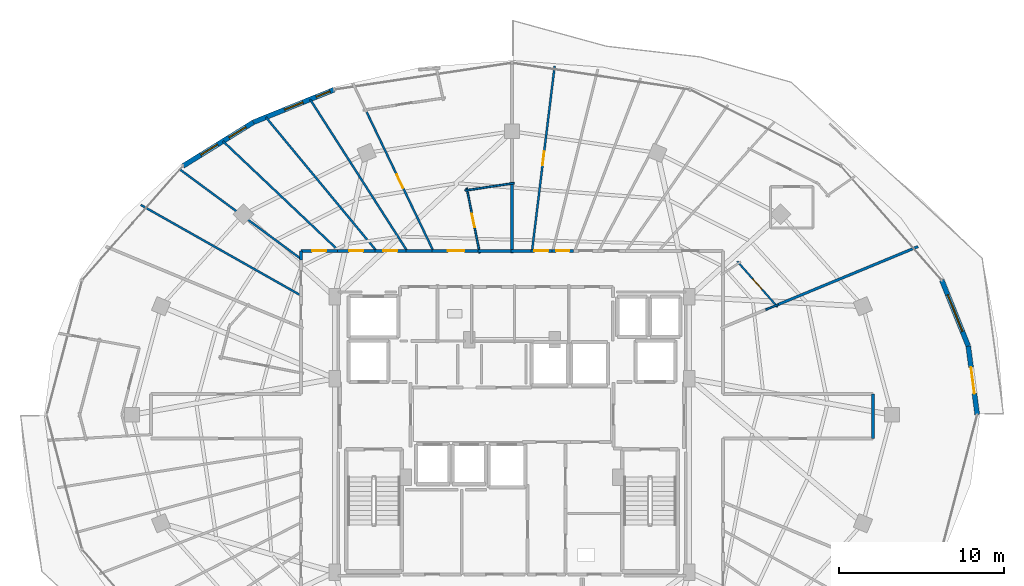
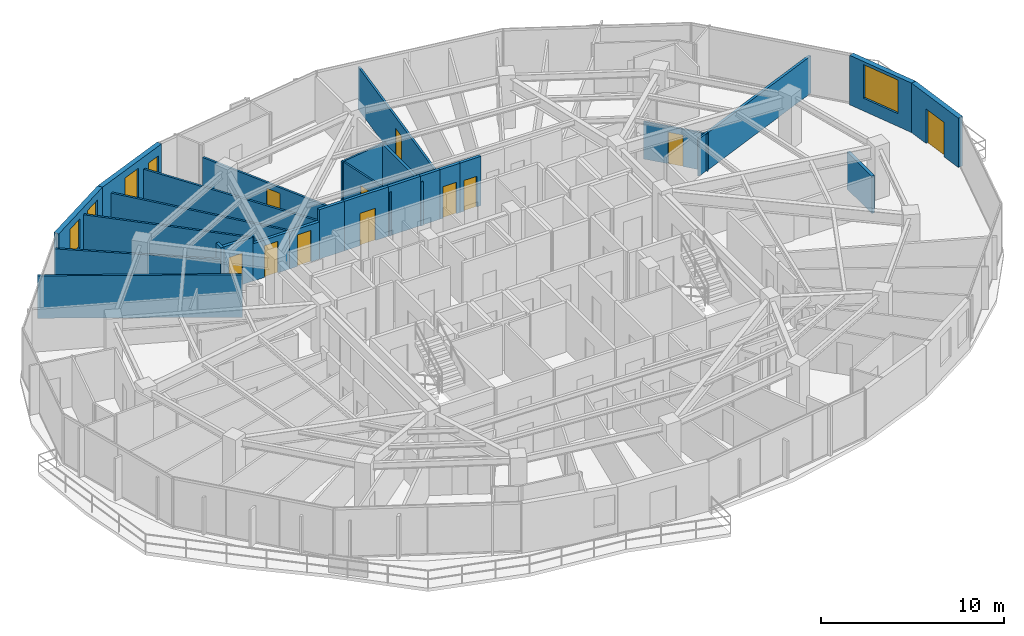
# One storey, part 29 of 33: 28 walls, 11 doors, 5 windows, 16 openings.
"""IFC4 building model written with IfcOpenShell, lengths in metres."""

from ifc_helpers import new_model, si_unit, direction, frame, frame_2d, origin, place, context, subcontext, project, spatial, rectangle, extrude, material, layer, layer_set, type_object, element, fill, save


model = new_model("IFC4")

# Units and contexts
model_context = context("Model", 3, precision=1e-05, world=origin(), true_north=direction((0.0, 1.0)))
body_context = subcontext(model_context, "Body", "Model", "MODEL_VIEW")
ifc_project = project(units=[si_unit("LENGTHUNIT", "METRE"), si_unit("AREAUNIT", "SQUARE_METRE"), si_unit("VOLUMEUNIT", "CUBIC_METRE"), si_unit("PLANEANGLEUNIT", "RADIAN"), si_unit("MASSUNIT", "GRAM", prefix="KILO")], contexts=[model_context])

# Site, building, storey
site_placement = place(None, origin())
site = spatial("IfcSite", under=ifc_project, at=site_placement, CompositionType="ELEMENT")
building_placement = place(site_placement, origin())
building = spatial("IfcBuilding", under=site, at=building_placement, Name="Vorneva Point Tower", CompositionType="ELEMENT")
storey_placement = place(building_placement, frame((0.0, 0.0, 217.85009765625)))
storey = spatial("IfcBuildingStorey", under=building, at=storey_placement, Name="L59", CompositionType="ELEMENT", Elevation=217.85009765625)

# Wall, opening, door
ifc_material_1 = material(Name="Precast concrete B50 (C40/50)", Category="concrete")
ifc_layer_1 = layer(ifc_material_1, 0.300048828125)
ifc_layer_set_1 = layer_set([ifc_layer_1], Name="Precast concrete B50 (C40/50)")
wall_type_1 = type_object("IfcWallType", Name="WL-EXT-300", PredefinedType="STANDARD", material=ifc_layer_set_1)
wall_1_placement = place(storey_placement, frame((66.22998046875, 26.0, 0.0), z_axis=(0.0, 0.0, 1.0), x_axis=(-0.129147853268, 0.991625348605, 0.0)))
wall_1 = element("IfcWall", 1, at=wall_1_placement, inside=storey, type_object=wall_type_1, Name="L59 Pale-Metal Facade Spandrel Wall 01.1", PredefinedType="STANDARD", context=body_context, shape_type="SweptSolid", body=[
    extrude(rectangle(XDim=4.200439453125, YDim=0.300048828125, at=frame_2d((2.10009765625, 0.0))), origin(), (0.0, 0.0, 1.0), 3.289794921875),
])
opening_1_placement = place(wall_1_placement, frame((1.30029296875, 0.0, 0.0)))
opening_1 = element("IfcOpeningElement", 2, at=opening_1_placement, cuts=wall_1, Name="Opening BD-01", PredefinedType="OPENING", context=body_context, shape_type="SweptSolid", body=[
    extrude(rectangle(XDim=1.60009765625, YDim=2.300048828125, at=frame_2d((0.800048828125, 1.14990234375))), frame((0.0, 0.1650390625, 0.0), z_axis=(0.0, -1.0, 0.0), x_axis=(1.0, 0.0, 0.0)), (0.0, 0.0, 1.0), 0.329833984375),
])
ifc_material_2 = material(Name="Pale anodised aluminium", Category="aluminium")
door_type_1 = type_object("IfcDoorType", Name="DR-BAL-1600", OperationType="SLIDING_TO_LEFT", PredefinedType="DOOR", material=ifc_material_2)
door_1_placement = place(opening_1_placement, origin())
door_1 = element("IfcDoor", 3, at=door_1_placement, inside=storey, type_object=door_type_1, Name="L59 Balcony Terrace Access Door 01", OperationType="SLIDING_TO_LEFT", OverallHeight=2.300048828125, OverallWidth=1.60009765625, PredefinedType="DOOR", context=body_context, shape_type="SweptSolid", body=[
    extrude(rectangle(XDim=1.60009765625, YDim=2.300048828125, at=frame_2d((0.800048828125, 1.14990234375))), frame((0.0, 0.02490234375, 0.0), z_axis=(0.0, -1.0, 0.0), x_axis=(1.0, 0.0, 0.0)), (0.0, 0.0, 1.0), 0.050048828125),
])
fill(opening_1, door_1)

# Wall, opening, window
wall_2_placement = place(storey_placement, frame((65.6875, 30.165283203125, 0.0), z_axis=(0.0, 0.0, 1.0), x_axis=(-0.372268409848, 0.928125116043, 0.0)))
wall_2 = element("IfcWall", 4, at=wall_2_placement, inside=storey, type_object=wall_type_1, Name="L59 Pale-Metal Facade Spandrel Wall 01.2", PredefinedType="STANDARD", context=body_context, shape_type="SweptSolid", body=[
    extrude(rectangle(XDim=4.315185546875, YDim=0.300048828125, at=frame_2d((2.15771484375, 0.0))), origin(), (0.0, 0.0, 1.0), 3.289794921875),
])
opening_2_placement = place(wall_2_placement, frame((0.95751953125, 0.0, 0.85009765625)))
opening_2 = element("IfcOpeningElement", 5, at=opening_2_placement, cuts=wall_2, Name="Opening W-03", PredefinedType="OPENING", context=body_context, shape_type="SweptSolid", body=[
    extrude(rectangle(XDim=2.39990234375, YDim=2.239990234375, at=frame_2d((1.199951171875, 1.1201171875))), frame((0.0, 0.1650390625, 0.0), z_axis=(0.0, -1.0, 0.0), x_axis=(1.0, 0.0, 0.0)), (0.0, 0.0, 1.0), 0.329833984375),
])
ifc_material_3 = material(Name="Double low-e laminated glass IGU", Category="glass")
window_type_1 = type_object("IfcWindowType", Name="WN-RES-2400", PartitioningType="SINGLE_PANEL", PredefinedType="WINDOW", material=ifc_material_3)
window_1_placement = place(opening_2_placement, origin())
window_1 = element("IfcWindow", 6, at=window_1_placement, inside=storey, type_object=window_type_1, Name="L59 Facade Window 01", OverallHeight=2.239990234375, OverallWidth=2.39990234375, PartitioningType="SINGLE_PANEL", PredefinedType="WINDOW", context=body_context, shape_type="SweptSolid", body=[
    extrude(rectangle(XDim=2.39990234375, YDim=2.239990234375, at=frame_2d((1.199951171875, 1.1201171875))), frame((0.0, 0.030029296875, 0.0), z_axis=(0.0, -1.0, 0.0), x_axis=(1.0, 0.0, 0.0)), (0.0, 0.0, 1.0), 0.06005859375),
])
fill(opening_2, window_1)

# Wall, openings, windows
wall_3_placement = place(storey_placement, frame((27.19677734375, 45.724853515625, 0.0), z_axis=(0.0, 0.0, 1.0), x_axis=(-0.927111094334, -0.374786630981, 0.0)))
wall_3 = element("IfcWall", 7, at=wall_3_placement, inside=storey, type_object=wall_type_1, Name="L59 Pale-Metal Facade Spandrel Wall 06.1", PredefinedType="STANDARD", context=body_context, shape_type="SweptSolid", body=[
    extrude(rectangle(XDim=5.26416015625, YDim=0.300048828125, at=frame_2d((2.632080078125, 0.0))), origin(), (0.0, 0.0, 1.0), 3.289794921875),
])
opening_3_placement = place(wall_3_placement, frame((0.25830078125, 0.0, 0.85009765625)))
opening_3 = element("IfcOpeningElement", 8, at=opening_3_placement, cuts=wall_3, Name="Opening W-08", PredefinedType="OPENING", context=body_context, shape_type="SweptSolid", body=[
    extrude(rectangle(XDim=0.89990234375, YDim=1.800048828125, at=frame_2d((0.449951171875, 0.89990234375))), frame((0.0, 0.1650390625, 0.0), z_axis=(0.0, -1.0, 0.0), x_axis=(1.0, 0.0, 0.0)), (0.0, 0.0, 1.0), 0.329833984375),
])
opening_4_placement = place(wall_3_placement, frame((2.031982421875, 0.0, 0.85009765625)))
opening_4 = element("IfcOpeningElement", 9, at=opening_4_placement, cuts=wall_3, Name="Opening W-04", PredefinedType="OPENING", context=body_context, shape_type="SweptSolid", body=[
    extrude(rectangle(XDim=1.199951171875, YDim=1.949951171875, at=frame_2d((0.60009765625, 0.97509765625))), frame((0.0, 0.1650390625, 0.0), z_axis=(0.0, -1.0, 0.0), x_axis=(1.0, 0.0, 0.0)), (0.0, 0.0, 1.0), 0.329833984375),
])
window_type_2 = type_object("IfcWindowType", Name="WN-CAS-900", PartitioningType="SINGLE_PANEL", PredefinedType="WINDOW", material=ifc_material_3)
window_2_placement = place(opening_3_placement, origin())
window_2 = element("IfcWindow", 10, at=window_2_placement, inside=storey, type_object=window_type_2, Name="L59 Dwelling Vision Window 01", OverallHeight=1.800048828125, OverallWidth=0.89990234375, PartitioningType="SINGLE_PANEL", PredefinedType="WINDOW", context=body_context, shape_type="SweptSolid", body=[
    extrude(rectangle(XDim=0.89990234375, YDim=1.800048828125, at=frame_2d((0.449951171875, 0.89990234375))), frame((0.0, 0.030029296875, 0.0), z_axis=(0.0, -1.0, 0.0), x_axis=(1.0, 0.0, 0.0)), (0.0, 0.0, 1.0), 0.06005859375),
])
fill(opening_3, window_2)
window_type_3 = type_object("IfcWindowType", Name="WN-RES-1200", PartitioningType="SINGLE_PANEL", PredefinedType="WINDOW", material=ifc_material_3)
window_3_placement = place(opening_4_placement, origin())
window_3 = element("IfcWindow", 11, at=window_3_placement, inside=storey, type_object=window_type_3, Name="L59 Dwelling Vision Window 02", OverallHeight=1.949951171875, OverallWidth=1.199951171875, PartitioningType="SINGLE_PANEL", PredefinedType="WINDOW", context=body_context, shape_type="SweptSolid", body=[
    extrude(rectangle(XDim=1.199951171875, YDim=1.949951171875, at=frame_2d((0.60009765625, 0.97509765625))), frame((0.0, 0.030029296875, 0.0), z_axis=(0.0, -1.0, 0.0), x_axis=(1.0, 0.0, 0.0)), (0.0, 0.0, 1.0), 0.06005859375),
])
fill(opening_4, window_3)

wall_4_placement = place(storey_placement, frame((22.31640625, 43.751953125, 0.0), z_axis=(0.0, 0.0, 1.0), x_axis=(-0.849647657754, -0.527350791858, 0.0)))
wall_4 = element("IfcWall", 12, at=wall_4_placement, inside=storey, type_object=wall_type_1, Name="L59 Pale-Metal Facade Spandrel Wall 06.2", PredefinedType="STANDARD", context=body_context, shape_type="SweptSolid", body=[
    extrude(rectangle(XDim=5.03515625, YDim=0.300048828125, at=frame_2d((2.517578125, 0.0))), origin(), (0.0, 0.0, 1.0), 3.289794921875),
])
opening_5_placement = place(wall_4_placement, frame((0.5546875, 0.0, 0.85009765625)))
opening_5 = element("IfcOpeningElement", 13, at=opening_5_placement, cuts=wall_4, Name="Opening W-04", PredefinedType="OPENING", context=body_context, shape_type="SweptSolid", body=[
    extrude(rectangle(XDim=1.199951171875, YDim=1.949951171875, at=frame_2d((0.60009765625, 0.97509765625))), frame((0.0, 0.1650390625, 0.0), z_axis=(0.0, -1.0, 0.0), x_axis=(1.0, 0.0, 0.0)), (0.0, 0.0, 1.0), 0.329833984375),
])
opening_6_placement = place(wall_4_placement, frame((2.569091796875, 0.0, 0.85009765625)))
opening_6 = element("IfcOpeningElement", 14, at=opening_6_placement, cuts=wall_4, Name="Opening W-04", PredefinedType="OPENING", context=body_context, shape_type="SweptSolid", body=[
    extrude(rectangle(XDim=1.199951171875, YDim=1.949951171875, at=frame_2d((0.60009765625, 0.97509765625))), frame((0.0, 0.1650390625, 0.0), z_axis=(0.0, -1.0, 0.0), x_axis=(1.0, 0.0, 0.0)), (0.0, 0.0, 1.0), 0.329833984375),
])
window_4_placement = place(opening_5_placement, origin())
window_4 = element("IfcWindow", 15, at=window_4_placement, inside=storey, type_object=window_type_3, Name="L59 Dwelling Vision Window 03", OverallHeight=1.949951171875, OverallWidth=1.199951171875, PartitioningType="SINGLE_PANEL", PredefinedType="WINDOW", context=body_context, shape_type="SweptSolid", body=[
    extrude(rectangle(XDim=1.199951171875, YDim=1.949951171875, at=frame_2d((0.60009765625, 0.97509765625))), frame((0.0, 0.030029296875, 0.0), z_axis=(0.0, -1.0, 0.0), x_axis=(1.0, 0.0, 0.0)), (0.0, 0.0, 1.0), 0.06005859375),
])
fill(opening_5, window_4)
window_5_placement = place(opening_6_placement, origin())
window_5 = element("IfcWindow", 16, at=window_5_placement, inside=storey, type_object=window_type_3, Name="L59 Dwelling Vision Window 04", OverallHeight=1.949951171875, OverallWidth=1.199951171875, PartitioningType="SINGLE_PANEL", PredefinedType="WINDOW", context=body_context, shape_type="SweptSolid", body=[
    extrude(rectangle(XDim=1.199951171875, YDim=1.949951171875, at=frame_2d((0.60009765625, 0.97509765625))), frame((0.0, 0.030029296875, 0.0), z_axis=(0.0, -1.0, 0.0), x_axis=(1.0, 0.0, 0.0)), (0.0, 0.0, 1.0), 0.06005859375),
])
fill(opening_6, window_5)

# Wall, opening, door
ifc_material_4 = material(Name="Fire-rated acoustic gypsum stud partition", Category="gypsum")
ifc_layer_2 = layer(ifc_material_4, 0.110107421875)
ifc_layer_set_2 = layer_set([ifc_layer_2], Name="Fire-rated acoustic gypsum stud partition")
wall_type_2 = type_object("IfcWallType", Name="WL-PART-110", PredefinedType="PARTITIONING", material=ifc_layer_set_2)
wall_5_placement = place(storey_placement, frame((51.666259765625, 35.310791015625, 0.0), z_axis=(0.0, 0.0, 1.0), x_axis=(0.662288118602, -0.749249256228, 0.0)))
wall_5 = element("IfcWall", 17, at=wall_5_placement, inside=storey, type_object=wall_type_2, Name="L59 Interior Partition 085", PredefinedType="PARTITIONING", context=body_context, shape_type="SweptSolid", body=[
    extrude(rectangle(XDim=3.705810546875, YDim=0.110107421875, at=frame_2d((1.85302734375, 0.0))), origin(), (0.0, 0.0, 1.0), 2.48193359375),
])
opening_7_placement = place(wall_5_placement, frame((1.427978515625, 0.0, 0.0)))
opening_7 = element("IfcOpeningElement", 18, at=opening_7_placement, cuts=wall_5, Name="Opening ID-02", PredefinedType="OPENING", context=body_context, shape_type="SweptSolid", body=[
    extrude(rectangle(XDim=0.85009765625, YDim=2.10009765625, at=frame_2d((0.425048828125, 1.050048828125))), frame((0.0, 0.06982421875, 0.0), z_axis=(0.0, -1.0, 0.0), x_axis=(1.0, 0.0, 0.0)), (0.0, 0.0, 1.0), 0.139892578125),
])
ifc_material_5 = material(Name="Engineered oak fire-rated door leaf", Category="wood")
door_type_2 = type_object("IfcDoorType", Name="DR-BATH-850", OperationType="NOTDEFINED", PredefinedType="DOOR", material=ifc_material_5)
door_2_placement = place(opening_7_placement, origin())
door_2 = element("IfcDoor", 19, at=door_2_placement, inside=storey, type_object=door_type_2, Name="L59 Door Living and Dining Room L59-01 / Bathroom L59-01", OperationType="SINGLE_SWING_LEFT", OverallHeight=2.10009765625, OverallWidth=0.85009765625, PredefinedType="DOOR", context=body_context, shape_type="SweptSolid", body=[
    extrude(rectangle(XDim=0.85009765625, YDim=2.10009765625, at=frame_2d((0.425048828125, 1.050048828125))), frame((0.0, 0.02490234375, 0.0), z_axis=(0.0, -1.0, 0.0), x_axis=(1.0, 0.0, 0.0)), (0.0, 0.0, 1.0), 0.050048828125),
])
fill(opening_7, door_2)

# Wall
wall_6_placement = place(storey_placement, frame((54.1572265625, 32.692626953125, 0.0), z_axis=(0.0, 0.0, 1.0), x_axis=(-0.923731903457, -0.383039646166, 0.0)))
element("IfcWall", 20, at=wall_6_placement, inside=storey, type_object=wall_type_2, Name="L59 Interior Partition 086", PredefinedType="PARTITIONING", context=body_context, shape_type="SweptSolid", body=[
    extrude(rectangle(XDim=0.825439453125, YDim=0.110107421875, at=frame_2d((0.41259765625, 0.0))), origin(), (0.0, 0.0, 1.0), 2.48193359375),
])

# Wall, opening, door
wall_7_placement = place(storey_placement, frame((36.04150390625, 35.812744140625, 0.0), z_axis=(0.0, 0.0, 1.0), x_axis=(-0.195521857349, 0.980699343988, 0.0)))
wall_7 = element("IfcWall", 21, at=wall_7_placement, inside=storey, type_object=wall_type_2, Name="L59 Interior Partition 105", PredefinedType="PARTITIONING", context=body_context, shape_type="SweptSolid", body=[
    extrude(rectangle(XDim=4.029541015625, YDim=0.110107421875, at=frame_2d((2.0146484375, 0.0))), origin(), (0.0, 0.0, 1.0), 2.923828125),
])
opening_8_placement = place(wall_7_placement, frame((1.589599609375, 0.0, 0.0)))
opening_8 = element("IfcOpeningElement", 22, at=opening_8_placement, cuts=wall_7, Name="Opening ID-02", PredefinedType="OPENING", context=body_context, shape_type="SweptSolid", body=[
    extrude(rectangle(XDim=0.85009765625, YDim=2.10009765625, at=frame_2d((0.425048828125, 1.050048828125))), frame((0.0, 0.06982421875, 0.0), z_axis=(0.0, -1.0, 0.0), x_axis=(1.0, 0.0, 0.0)), (0.0, 0.0, 1.0), 0.139892578125),
])
door_3_placement = place(opening_8_placement, origin())
door_3 = element("IfcDoor", 23, at=door_3_placement, inside=storey, type_object=door_type_2, Name="L59 Door Living and Dining Room L59-02 / Bathroom L59-02", OperationType="SINGLE_SWING_LEFT", OverallHeight=2.10009765625, OverallWidth=0.85009765625, PredefinedType="DOOR", context=body_context, shape_type="SweptSolid", body=[
    extrude(rectangle(XDim=0.85009765625, YDim=2.10009765625, at=frame_2d((0.425048828125, 1.050048828125))), frame((0.0, 0.02490234375, 0.0), z_axis=(0.0, -1.0, 0.0), x_axis=(1.0, 0.0, 0.0)), (0.0, 0.0, 1.0), 0.050048828125),
])
fill(opening_8, door_3)

# Wall
wall_8_placement = place(storey_placement, frame((35.142578125, 39.606201171875, 0.0), z_axis=(0.0, 0.0, 1.0), x_axis=(0.988873015636, 0.148762088409, 0.0)))
element("IfcWall", 24, at=wall_8_placement, inside=storey, type_object=wall_type_2, Name="L59 Interior Partition 106", PredefinedType="PARTITIONING", context=body_context, shape_type="SweptSolid", body=[
    extrude(rectangle(XDim=3.029541015625, YDim=0.110107421875, at=frame_2d((1.5146484375, 0.0))), origin(), (0.0, 0.0, 1.0), 2.97900390625),
])

# Wall, opening, door
ifc_layer_3 = layer(ifc_material_4, 0.125)
ifc_layer_set_3 = layer_set([ifc_layer_3], Name="Fire-rated acoustic gypsum stud partition")
wall_type_3 = type_object("IfcWallType", Name="WL-PART-125", PredefinedType="PARTITIONING", material=ifc_layer_set_3)
wall_9_placement = place(storey_placement, frame((40.587890625, 47.156982421875, 0.0), z_axis=(0.0, 0.0, 1.0), x_axis=(-0.121415539359, -0.992601766471, 0.0)))
wall_9 = element("IfcWall", 25, at=wall_9_placement, inside=storey, type_object=wall_type_3, Name="L59 Interior Partition 102", PredefinedType="PARTITIONING", context=body_context, shape_type="SweptSolid", body=[
    extrude(rectangle(XDim=11.29052734375, YDim=0.125, at=frame_2d((5.645263671875, 0.0))), origin(), (0.0, 0.0, 1.0), 2.823974609375),
])
opening_9_placement = place(wall_9_placement, frame((5.22021484375, 0.0, 0.0)))
opening_9 = element("IfcOpeningElement", 26, at=opening_9_placement, cuts=wall_9, Name="Opening ID-02", PredefinedType="OPENING", context=body_context, shape_type="SweptSolid", body=[
    extrude(rectangle(XDim=0.85009765625, YDim=2.10009765625, at=frame_2d((0.425048828125, 1.050048828125))), frame((0.0, 0.077392578125, 0.0), z_axis=(0.0, -1.0, 0.0), x_axis=(1.0, 0.0, 0.0)), (0.0, 0.0, 1.0), 0.15478515625),
])
door_4_placement = place(opening_9_placement, origin())
door_4 = element("IfcDoor", 27, at=door_4_placement, inside=storey, type_object=door_type_2, Name="L59 Access Door Bedroom L59-01.5", OperationType="SINGLE_SWING_LEFT", OverallHeight=2.10009765625, OverallWidth=0.85009765625, PredefinedType="DOOR", context=body_context, shape_type="SweptSolid", body=[
    extrude(rectangle(XDim=0.85009765625, YDim=2.10009765625, at=frame_2d((0.425048828125, 1.050048828125))), frame((0.0, 0.02490234375, 0.0), z_axis=(0.0, -1.0, 0.0), x_axis=(1.0, 0.0, 0.0)), (0.0, 0.0, 1.0), 0.050048828125),
])
fill(opening_9, door_4)

wall_10_placement = place(storey_placement, frame((29.173583984375, 44.380859375, 0.0), z_axis=(0.0, 0.0, 1.0), x_axis=(0.432861754343, -0.901460316169, 0.0)))
wall_10 = element("IfcWall", 28, at=wall_10_placement, inside=storey, type_object=wall_type_3, Name="L59 Interior Partition 111", PredefinedType="PARTITIONING", context=body_context, shape_type="SweptSolid", body=[
    extrude(rectangle(XDim=9.3525390625, YDim=0.125, at=frame_2d((4.67626953125, 0.0))), origin(), (0.0, 0.0, 1.0), 2.48193359375),
])
opening_10_placement = place(wall_10_placement, frame((4.226318359375, 0.0, 0.0)))
opening_10 = element("IfcOpeningElement", 29, at=opening_10_placement, cuts=wall_10, Name="Opening ID-01", PredefinedType="OPENING", context=body_context, shape_type="SweptSolid", body=[
    extrude(rectangle(XDim=0.89990234375, YDim=2.10009765625, at=frame_2d((0.449951171875, 1.050048828125))), frame((0.0, 0.077392578125, 0.0), z_axis=(0.0, -1.0, 0.0), x_axis=(1.0, 0.0, 0.0)), (0.0, 0.0, 1.0), 0.15478515625),
])
door_type_3 = type_object("IfcDoorType", Name="DR-ROOM-900", OperationType="NOTDEFINED", PredefinedType="DOOR", material=ifc_material_5)
door_5_placement = place(opening_10_placement, origin())
door_5 = element("IfcDoor", 30, at=door_5_placement, inside=storey, type_object=door_type_3, Name="L59 Door Living and Dining Room L59-02 / Master Bedroom L59-02.1", OperationType="SINGLE_SWING_LEFT", OverallHeight=2.10009765625, OverallWidth=0.89990234375, PredefinedType="DOOR", context=body_context, shape_type="SweptSolid", body=[
    extrude(rectangle(XDim=0.89990234375, YDim=2.10009765625, at=frame_2d((0.449951171875, 1.050048828125))), frame((0.0, 0.02490234375, 0.0), z_axis=(0.0, -1.0, 0.0), x_axis=(1.0, 0.0, 0.0)), (0.0, 0.0, 1.0), 0.050048828125),
])
fill(opening_10, door_5)

# Walls
wall_11_placement = place(storey_placement, frame((25.7490234375, 45.137939453125, 0.0), z_axis=(0.0, 0.0, 1.0), x_axis=(0.539168632786, -0.842197830335, 0.0)))
element("IfcWall", 31, at=wall_11_placement, inside=storey, type_object=wall_type_3, Name="L59 Interior Partition 112", PredefinedType="PARTITIONING", context=body_context, shape_type="SweptSolid", body=[
    extrude(rectangle(XDim=10.909423828125, YDim=0.125, at=frame_2d((5.45458984375, 0.0))), origin(), (0.0, 0.0, 1.0), 2.48193359375),
])
wall_12_placement = place(storey_placement, frame((23.06591796875, 44.052001953125, 0.0), z_axis=(0.0, 0.0, 1.0), x_axis=(0.637453668746, -0.770488689211, 0.0)))
element("IfcWall", 32, at=wall_12_placement, inside=storey, type_object=wall_type_3, Name="L59 Interior Partition 113", PredefinedType="PARTITIONING", context=body_context, shape_type="SweptSolid", body=[
    extrude(rectangle(XDim=10.515380859375, YDim=0.125, at=frame_2d((5.2578125, 0.0))), origin(), (0.0, 0.0, 1.0), 2.48193359375),
])
wall_13_placement = place(storey_placement, frame((20.4619140625, 42.59912109375, 0.0), z_axis=(0.0, 0.0, 1.0), x_axis=(0.726274273347, -0.687405033349, 0.0)))
element("IfcWall", 33, at=wall_13_placement, inside=storey, type_object=wall_type_3, Name="L59 Interior Partition 114", PredefinedType="PARTITIONING", context=body_context, shape_type="SweptSolid", body=[
    extrude(rectangle(XDim=9.6728515625, YDim=0.125, at=frame_2d((4.83642578125, 0.0))), origin(), (0.0, 0.0, 1.0), 2.823974609375),
])
wall_14_placement = place(storey_placement, frame((17.825927734375, 40.90087890625, 0.0), z_axis=(0.0, 0.0, 1.0), x_axis=(0.804363169868, -0.594137939338, 0.0)))
element("IfcWall", 34, at=wall_14_placement, inside=storey, type_object=wall_type_3, Name="L59 Interior Partition 115", PredefinedType="PARTITIONING", context=body_context, shape_type="SweptSolid", body=[
    extrude(rectangle(XDim=9.16748046875, YDim=0.125, at=frame_2d((4.583740234375, 0.0))), origin(), (0.0, 0.0, 1.0), 2.48193359375),
])
wall_15_placement = place(storey_placement, frame((15.47607421875, 38.73095703125, 0.0), z_axis=(0.0, 0.0, 1.0), x_axis=(0.870572608778, -0.49203997078, 0.0)))
element("IfcWall", 35, at=wall_15_placement, inside=storey, type_object=wall_type_3, Name="L59 Interior Partition 116", PredefinedType="PARTITIONING", context=body_context, shape_type="SweptSolid", body=[
    extrude(rectangle(XDim=11.16943359375, YDim=0.125, at=frame_2d((5.584716796875, 0.0))), origin(), (0.0, 0.0, 1.0), 2.823974609375),
])
ifc_layer_4 = layer(ifc_material_4, 0.159912109375)
ifc_layer_set_4 = layer_set([ifc_layer_4], Name="Fire-rated acoustic gypsum stud partition")
wall_type_4 = type_object("IfcWallType", Name="WL-PART-160", PredefinedType="PARTITIONING", material=ifc_layer_set_4)
wall_16_placement = place(storey_placement, frame((54.157470703125, 32.6923828125, 0.0), z_axis=(0.0, 0.0, 1.0), x_axis=(0.923874230192, 0.382696233045, 0.0)))
element("IfcWall", 36, at=wall_16_placement, inside=storey, type_object=wall_type_4, Name="L59 Interior Partition 096", PredefinedType="PARTITIONING", context=body_context, shape_type="SweptSolid", body=[
    extrude(rectangle(XDim=9.181396484375, YDim=0.159912109375, at=frame_2d((4.5908203125, 0.0))), origin(), (0.0, 0.0, 1.0), 2.48193359375),
])
wall_17_placement = place(storey_placement, frame((38.0, 40.114990234375, 0.0), z_axis=(0.0, 0.0, 1.0), x_axis=(0.0, -1.0, 0.0)))
element("IfcWall", 37, at=wall_17_placement, inside=storey, type_object=wall_type_4, Name="L59 Interior Partition 104", PredefinedType="PARTITIONING", context=body_context, shape_type="SweptSolid", body=[
    extrude(rectangle(XDim=4.304931640625, YDim=0.159912109375, at=frame_2d((2.15234375, 0.0))), origin(), (0.0, 0.0, 1.0), 2.923828125),
])

# Wall, opening, door
ifc_material_6 = material(Name="Autoclaved aerated concrete blockwork", Category="masonry")
ifc_layer_5 = layer(ifc_material_6, 0.179931640625)
ifc_layer_set_5 = layer_set([ifc_layer_5], Name="Autoclaved aerated concrete blockwork")
wall_type_5 = type_object("IfcWallType", Name="WL-PART-180", PredefinedType="PARTITIONING", material=ifc_layer_set_5)
wall_18_placement = place(storey_placement, frame((41.7451171875, 35.949951171875, 0.0), z_axis=(0.0, 0.0, 1.0), x_axis=(-1.0, 0.0, 0.0)))
wall_18 = element("IfcWall", 38, at=wall_18_placement, inside=storey, type_object=wall_type_5, Name="L59 Interior Partition 040", PredefinedType="PARTITIONING", context=body_context, shape_type="SweptSolid", body=[
    extrude(rectangle(XDim=1.3330078125, YDim=0.179931640625, at=frame_2d((0.66650390625, 0.0))), origin(), (0.0, 0.0, 1.0), 3.289794921875),
])
opening_11_placement = place(wall_18_placement, frame((0.2666015625, 0.0, 0.0)))
opening_11 = element("IfcOpeningElement", 39, at=opening_11_placement, cuts=wall_18, Name="Opening RD-01", PredefinedType="OPENING", context=body_context, shape_type="SweptSolid", body=[
    extrude(rectangle(XDim=0.800048828125, YDim=2.050048828125, at=frame_2d((0.39990234375, 1.02490234375))), frame((0.0, 0.10498046875, 0.0), z_axis=(0.0, -1.0, 0.0), x_axis=(1.0, 0.0, 0.0)), (0.0, 0.0, 1.0), 0.209716796875),
])
ifc_material_7 = material(Name="Fire-rated powder-coated steel", Category="steel")
door_type_4 = type_object("IfcDoorType", Name="DR-RSR-800", OperationType="SINGLE_SWING_LEFT", PredefinedType="DOOR", material=ifc_material_7)
door_6_placement = place(opening_11_placement, origin())
door_6 = element("IfcDoor", 40, at=door_6_placement, inside=storey, type_object=door_type_4, Name="L59 Access Door L59 Circulation Corridor", OperationType="SINGLE_SWING_RIGHT", OverallHeight=2.050048828125, OverallWidth=0.800048828125, PredefinedType="DOOR", context=body_context, shape_type="SweptSolid", body=[
    extrude(rectangle(XDim=0.800048828125, YDim=2.050048828125, at=frame_2d((0.39990234375, 1.02490234375))), frame((0.0, 0.02490234375, 0.0), z_axis=(0.0, -1.0, 0.0), x_axis=(1.0, 0.0, 0.0)), (0.0, 0.0, 1.0), 0.050048828125),
])
fill(opening_11, door_6)

wall_19_placement = place(storey_placement, frame((40.412109375, 35.949951171875, 0.0), z_axis=(0.0, 0.0, 1.0), x_axis=(-1.0, 0.0, 0.0)))
wall_19 = element("IfcWall", 41, at=wall_19_placement, inside=storey, type_object=wall_type_5, Name="L59 Interior Partition 041", PredefinedType="PARTITIONING", context=body_context, shape_type="SweptSolid", body=[
    extrude(rectangle(XDim=1.255126953125, YDim=0.179931640625, at=frame_2d((0.62744140625, 0.0))), origin(), (0.0, 0.0, 1.0), 3.289794921875),
])
opening_12_placement = place(wall_19_placement, frame((0.202392578125, 0.0, 0.0)))
opening_12 = element("IfcOpeningElement", 42, at=opening_12_placement, cuts=wall_19, Name="Opening ID-02", PredefinedType="OPENING", context=body_context, shape_type="SweptSolid", body=[
    extrude(rectangle(XDim=0.85009765625, YDim=2.10009765625, at=frame_2d((0.425048828125, 1.050048828125))), frame((0.0, 0.10498046875, 0.0), z_axis=(0.0, -1.0, 0.0), x_axis=(1.0, 0.0, 0.0)), (0.0, 0.0, 1.0), 0.209716796875),
])
door_7_placement = place(opening_12_placement, origin())
door_7 = element("IfcDoor", 43, at=door_7_placement, inside=storey, type_object=door_type_2, Name="L59 Access Door L59 Circulation Corridor", OperationType="SINGLE_SWING_LEFT", OverallHeight=2.10009765625, OverallWidth=0.85009765625, PredefinedType="DOOR", context=body_context, shape_type="SweptSolid", body=[
    extrude(rectangle(XDim=0.85009765625, YDim=2.10009765625, at=frame_2d((0.425048828125, 1.050048828125))), frame((0.0, 0.02490234375, 0.0), z_axis=(0.0, -1.0, 0.0), x_axis=(1.0, 0.0, 0.0)), (0.0, 0.0, 1.0), 0.050048828125),
])
fill(opening_12, door_7)

# Wall
wall_20_placement = place(storey_placement, frame((39.156982421875, 35.949951171875, 0.0), z_axis=(0.0, 0.0, 1.0), x_axis=(-1.0, 0.0, 0.0)))
element("IfcWall", 44, at=wall_20_placement, inside=storey, type_object=wall_type_5, Name="L59 Interior Partition 042", PredefinedType="PARTITIONING", context=body_context, shape_type="SweptSolid", body=[
    extrude(rectangle(XDim=1.217041015625, YDim=0.179931640625, at=frame_2d((0.6083984375, 0.0))), origin(), (0.0, 0.0, 1.0), 3.289794921875),
])

# Wall, opening, door
wall_21_placement = place(storey_placement, frame((36.073974609375, 35.949951171875, 0.0), z_axis=(0.0, 0.0, 1.0), x_axis=(-1.0, 0.0, 0.0)))
wall_21 = element("IfcWall", 45, at=wall_21_placement, inside=storey, type_object=wall_type_5, Name="L59 Interior Partition 043", PredefinedType="PARTITIONING", context=body_context, shape_type="SweptSolid", body=[
    extrude(rectangle(XDim=2.9189453125, YDim=0.179931640625, at=frame_2d((1.45947265625, 0.0))), origin(), (0.0, 0.0, 1.0), 3.289794921875),
])
opening_13_placement = place(wall_21_placement, frame((0.95947265625, 0.0, 0.0)))
opening_13 = element("IfcOpeningElement", 46, at=opening_13_placement, cuts=wall_21, Name="Opening UD-01", PredefinedType="OPENING", context=body_context, shape_type="SweptSolid", body=[
    extrude(rectangle(XDim=1.0, YDim=2.14990234375, at=frame_2d((0.5, 1.074951171875))), frame((0.0, 0.10498046875, 0.0), z_axis=(0.0, -1.0, 0.0), x_axis=(1.0, 0.0, 0.0)), (0.0, 0.0, 1.0), 0.209716796875),
])
door_type_5 = type_object("IfcDoorType", Name="DR-UNIT-1000", OperationType="NOTDEFINED", PredefinedType="DOOR", material=ifc_material_5)
door_8_placement = place(opening_13_placement, origin())
door_8 = element("IfcDoor", 47, at=door_8_placement, inside=storey, type_object=door_type_5, Name="L59 Door L59 Circulation Corridor / Living and Dining Room L59-02", OperationType="SINGLE_SWING_RIGHT", OverallHeight=2.14990234375, OverallWidth=1.0, PredefinedType="DOOR", context=body_context, shape_type="SweptSolid", body=[
    extrude(rectangle(XDim=1.0, YDim=2.14990234375, at=frame_2d((0.5, 1.074951171875))), frame((0.0, 0.02490234375, 0.0), z_axis=(0.0, -1.0, 0.0), x_axis=(1.0, 0.0, 0.0)), (0.0, 0.0, 1.0), 0.050048828125),
])
fill(opening_13, door_8)

# Walls
wall_22_placement = place(storey_placement, frame((38.080078125, 35.949951171875, 0.0), z_axis=(0.0, 0.0, 1.0), x_axis=(-1.0, 0.0, 0.0)))
element("IfcWall", 48, at=wall_22_placement, inside=storey, type_object=wall_type_5, Name="L59 Interior Partition 044", PredefinedType="PARTITIONING", context=body_context, shape_type="SweptSolid", body=[
    extrude(rectangle(XDim=2.14599609375, YDim=0.179931640625, at=frame_2d((1.072998046875, 0.0))), origin(), (0.0, 0.0, 1.0), 3.289794921875),
])
wall_23_placement = place(storey_placement, frame((33.155029296875, 35.949951171875, 0.0), z_axis=(0.0, 0.0, 1.0), x_axis=(-1.0, 0.0, 0.0)))
element("IfcWall", 49, at=wall_23_placement, inside=storey, type_object=wall_type_5, Name="L59 Interior Partition 045", PredefinedType="PARTITIONING", context=body_context, shape_type="SweptSolid", body=[
    extrude(rectangle(XDim=1.594970703125, YDim=0.179931640625, at=frame_2d((0.79736328125, 0.0))), origin(), (0.0, 0.0, 1.0), 3.289794921875),
])

# Wall, opening, door
wall_24_placement = place(storey_placement, frame((31.56005859375, 35.949951171875, 0.0), z_axis=(0.0, 0.0, 1.0), x_axis=(-1.0, 0.0, 0.0)))
wall_24 = element("IfcWall", 50, at=wall_24_placement, inside=storey, type_object=wall_type_5, Name="L59 Interior Partition 046", PredefinedType="PARTITIONING", context=body_context, shape_type="SweptSolid", body=[
    extrude(rectangle(XDim=1.869140625, YDim=0.179931640625, at=frame_2d((0.9345703125, 0.0))), origin(), (0.0, 0.0, 1.0), 2.48193359375),
])
opening_14_placement = place(wall_24_placement, frame((0.509521484375, 0.0, 0.0)))
opening_14 = element("IfcOpeningElement", 51, at=opening_14_placement, cuts=wall_24, Name="Opening ID-02", PredefinedType="OPENING", context=body_context, shape_type="SweptSolid", body=[
    extrude(rectangle(XDim=0.85009765625, YDim=2.10009765625, at=frame_2d((0.425048828125, 1.050048828125))), frame((0.0, 0.10498046875, 0.0), z_axis=(0.0, -1.0, 0.0), x_axis=(1.0, 0.0, 0.0)), (0.0, 0.0, 1.0), 0.209716796875),
])
door_9_placement = place(opening_14_placement, origin())
door_9 = element("IfcDoor", 52, at=door_9_placement, inside=storey, type_object=door_type_2, Name="L59 Access Door L59 Circulation Corridor", OperationType="SINGLE_SWING_RIGHT", OverallHeight=2.10009765625, OverallWidth=0.85009765625, PredefinedType="DOOR", context=body_context, shape_type="SweptSolid", body=[
    extrude(rectangle(XDim=0.85009765625, YDim=2.10009765625, at=frame_2d((0.425048828125, 1.050048828125))), frame((0.0, 0.02490234375, 0.0), z_axis=(0.0, -1.0, 0.0), x_axis=(1.0, 0.0, 0.0)), (0.0, 0.0, 1.0), 0.050048828125),
])
fill(opening_14, door_9)

wall_25_placement = place(storey_placement, frame((29.69091796875, 35.949951171875, 0.0), z_axis=(0.0, 0.0, 1.0), x_axis=(-1.0, 0.0, 0.0)))
wall_25 = element("IfcWall", 53, at=wall_25_placement, inside=storey, type_object=wall_type_5, Name="L59 Interior Partition 047", PredefinedType="PARTITIONING", context=body_context, shape_type="SweptSolid", body=[
    extrude(rectangle(XDim=2.291015625, YDim=0.179931640625, at=frame_2d((1.1455078125, 0.0))), origin(), (0.0, 0.0, 1.0), 2.48193359375),
])
opening_15_placement = place(wall_25_placement, frame((0.720458984375, 0.0, 0.0)))
opening_15 = element("IfcOpeningElement", 54, at=opening_15_placement, cuts=wall_25, Name="Opening ID-02", PredefinedType="OPENING", context=body_context, shape_type="SweptSolid", body=[
    extrude(rectangle(XDim=0.85009765625, YDim=2.10009765625, at=frame_2d((0.425048828125, 1.050048828125))), frame((0.0, 0.10498046875, 0.0), z_axis=(0.0, -1.0, 0.0), x_axis=(1.0, 0.0, 0.0)), (0.0, 0.0, 1.0), 0.209716796875),
])
door_10_placement = place(opening_15_placement, origin())
door_10 = element("IfcDoor", 55, at=door_10_placement, inside=storey, type_object=door_type_2, Name="L59 Access Door L59 Circulation Corridor", OperationType="SINGLE_SWING_LEFT", OverallHeight=2.10009765625, OverallWidth=0.85009765625, PredefinedType="DOOR", context=body_context, shape_type="SweptSolid", body=[
    extrude(rectangle(XDim=0.85009765625, YDim=2.10009765625, at=frame_2d((0.425048828125, 1.050048828125))), frame((0.0, 0.02490234375, 0.0), z_axis=(0.0, -1.0, 0.0), x_axis=(1.0, 0.0, 0.0)), (0.0, 0.0, 1.0), 0.050048828125),
])
fill(opening_15, door_10)

wall_26_placement = place(storey_placement, frame((27.39990234375, 35.949951171875, 0.0), z_axis=(0.0, 0.0, 1.0), x_axis=(-1.0, 0.0, 0.0)))
wall_26 = element("IfcWall", 56, at=wall_26_placement, inside=storey, type_object=wall_type_5, Name="L59 Interior Partition 048", PredefinedType="PARTITIONING", context=body_context, shape_type="SweptSolid", body=[
    extrude(rectangle(XDim=2.199951171875, YDim=0.179931640625, at=frame_2d((1.10009765625, 0.0))), origin(), (0.0, 0.0, 1.0), 2.923828125),
])
opening_16_placement = place(wall_26_placement, frame((0.675048828125, 0.0, 0.0)))
opening_16 = element("IfcOpeningElement", 57, at=opening_16_placement, cuts=wall_26, Name="Opening ID-02", PredefinedType="OPENING", context=body_context, shape_type="SweptSolid", body=[
    extrude(rectangle(XDim=0.85009765625, YDim=2.10009765625, at=frame_2d((0.425048828125, 1.050048828125))), frame((0.0, 0.10498046875, 0.0), z_axis=(0.0, -1.0, 0.0), x_axis=(1.0, 0.0, 0.0)), (0.0, 0.0, 1.0), 0.209716796875),
])
door_11_placement = place(opening_16_placement, origin())
door_11 = element("IfcDoor", 58, at=door_11_placement, inside=storey, type_object=door_type_2, Name="L59 Access Door L59 Circulation Corridor", OperationType="SINGLE_SWING_RIGHT", OverallHeight=2.10009765625, OverallWidth=0.85009765625, PredefinedType="DOOR", context=body_context, shape_type="SweptSolid", body=[
    extrude(rectangle(XDim=0.85009765625, YDim=2.10009765625, at=frame_2d((0.425048828125, 1.050048828125))), frame((0.0, 0.02490234375, 0.0), z_axis=(0.0, -1.0, 0.0), x_axis=(1.0, 0.0, 0.0)), (0.0, 0.0, 1.0), 0.050048828125),
])
fill(opening_16, door_11)

# Walls
wall_27_placement = place(storey_placement, frame((25.199951171875, 35.949951171875, 0.0), z_axis=(0.0, 0.0, 1.0), x_axis=(0.0, -1.0, 0.0)))
element("IfcWall", 59, at=wall_27_placement, inside=storey, type_object=wall_type_5, Name="L59 Interior Partition 049", PredefinedType="PARTITIONING", context=body_context, shape_type="SweptSolid", body=[
    extrude(rectangle(XDim=0.555908203125, YDim=0.179931640625, at=frame_2d((0.27783203125, 0.0))), origin(), (0.0, 0.0, 1.0), 3.289794921875),
])
wall_28_placement = place(storey_placement, frame((59.89990234375, 24.550048828125, 0.0), z_axis=(0.0, 0.0, 1.0), x_axis=(0.0, 1.0, 0.0)))
element("IfcWall", 60, at=wall_28_placement, inside=storey, type_object=wall_type_5, Name="L59 Interior Partition 081", PredefinedType="PARTITIONING", context=body_context, shape_type="SweptSolid", body=[
    extrude(rectangle(XDim=2.699951171875, YDim=0.179931640625, at=frame_2d((1.35009765625, 0.0))), origin(), (0.0, 0.0, 1.0), 2.48193359375),
])

save(model, "model.ifc")
